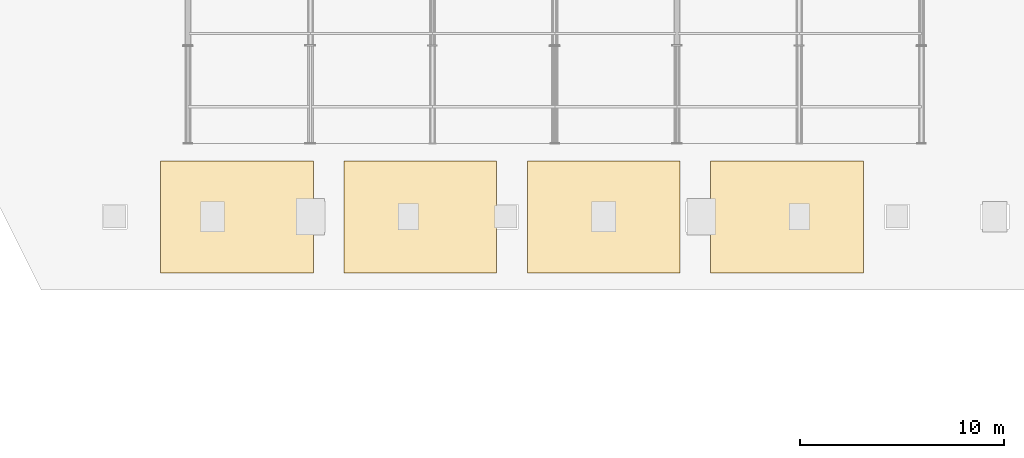
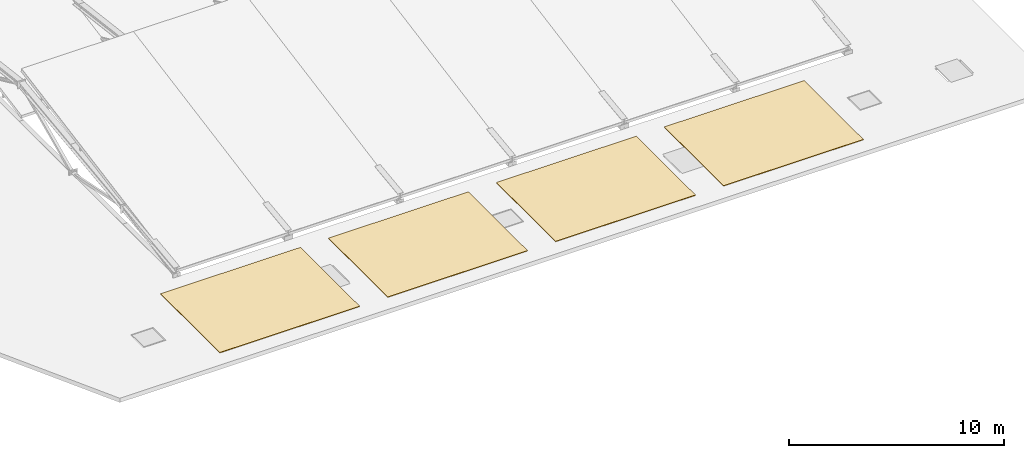
# One storey, part 32 of 32: 4 coverings.
"""IFC4 building model written with IfcOpenShell, lengths in metres."""

import ifcopenshell
import ifcopenshell.guid

model = None  # the IFC model being written
_history = None  # IfcOwnerHistory: only IFC2X3 demands one
_inside = {}  # id of a spatial element -> (the spatial element, [elements in it])
_under = {}  # id of a project, library or spatial element -> (it, [spatial elements below it])
_declared = {}  # id of a project -> (the project, [libraries it declares])
_typed = {}  # id of a type object -> (the type object, [elements of that type])
_made_of = {}  # id of a material, layer set ... -> (it, [elements and type objects made of it])


def new_model(schema):
    """Start an empty IFC model of exactly this schema.

    Asked for "IFC4X3", IfcOpenShell would pick the latest addendum, in which some entities
    have other attributes; the version numbers below select the first issue.
    IFC2X3 requires an IfcOwnerHistory on every rooted entity: one is made here for all.
    """
    global model, _history
    if schema == "IFC4X3":
        model = ifcopenshell.file(schema_version=(4, 3, 0, 0))
    else:
        model = ifcopenshell.file(schema=schema)
    _inside.clear()
    _under.clear()
    _declared.clear()
    _typed.clear()
    _made_of.clear()
    _history = None
    if model.schema == "IFC2X3":
        org = make("IfcOrganization", Name="unknown")
        user = make(
            "IfcPersonAndOrganization",
            ThePerson=make("IfcPerson", FamilyName="unknown"),
            TheOrganization=org,
        )
        app = make(
            "IfcApplication",
            ApplicationDeveloper=org,
            Version="unknown",
            ApplicationFullName="unknown",
            ApplicationIdentifier="unknown",
        )
        _history = make(
            "IfcOwnerHistory",
            OwningUser=user,
            OwningApplication=app,
            ChangeAction="ADDED",
            CreationDate=0,
        )
    return model


def make(cls, **values):
    """One entity of the class cls with the attributes given. An attribute that is None is left unset."""
    return model.create_entity(
        cls, **{name: value for name, value in values.items() if value is not None}
    )


def rooted(cls, **values):
    """An entity with a GlobalId (a new one), such as an element, a storey or a relation."""
    return make(cls, GlobalId=ifcopenshell.guid.new(), OwnerHistory=_history, **values)


def si_unit(unit_type, name, prefix=None):
    """IfcSIUnit, for example si_unit("LENGTHUNIT", "METRE", prefix="MILLI")."""
    return make("IfcSIUnit", UnitType=unit_type, Prefix=prefix, Name=name)


def assignment(units):
    """IfcUnitAssignment: the units of a project."""
    return None if units is None else make("IfcUnitAssignment", Units=units)


def point(xyz):
    """IfcCartesianPoint."""
    return None if xyz is None else make("IfcCartesianPoint", Coordinates=xyz)


def direction(xyz):
    """IfcDirection."""
    return None if xyz is None else make("IfcDirection", DirectionRatios=xyz)


def frame(location, z_axis=None, x_axis=None):
    """IfcAxis2Placement3D, a coordinate frame: its origin and axes. An axis left out is left unset."""
    return make(
        "IfcAxis2Placement3D",
        Location=point(location),
        Axis=direction(z_axis),
        RefDirection=direction(x_axis),
    )


def frame_2d(location, x_axis=None):
    """IfcAxis2Placement2D, a coordinate frame in the plane: its origin and x axis."""
    return make(
        "IfcAxis2Placement2D", Location=point(location), RefDirection=direction(x_axis)
    )


def origin():
    """The frame at (0, 0, 0) with its axes left unset."""
    return frame((0.0, 0.0, 0.0))


def origin_2d():
    """The frame at (0, 0) in the plane with its x axis left unset."""
    return frame_2d((0.0, 0.0))


def place(relative_to, where):
    """IfcLocalPlacement: puts the frame where relative to a parent placement (None: the world)."""
    return make(
        "IfcLocalPlacement", PlacementRelTo=relative_to, RelativePlacement=where
    )


def context(
    kind, dimensions, precision=None, world=None, true_north=None, identifier=None
):
    """IfcGeometricRepresentationContext, for example the 3D "Model" context."""
    return make(
        "IfcGeometricRepresentationContext",
        ContextIdentifier=identifier,
        ContextType=kind,
        CoordinateSpaceDimension=dimensions,
        Precision=precision,
        WorldCoordinateSystem=world,
        TrueNorth=true_north,
    )


def subcontext(parent, identifier, kind, view, scale=None):
    """IfcGeometricRepresentationSubContext, for example "Body" below "Model"."""
    return make(
        "IfcGeometricRepresentationSubContext",
        ContextIdentifier=identifier,
        ContextType=kind,
        ParentContext=parent,
        TargetScale=scale,
        TargetView=view,
    )


def project(units=None, contexts=None):
    """IfcProject with its units and contexts."""
    return rooted(
        "IfcProject",
        Name="project",
        RepresentationContexts=contexts,
        UnitsInContext=assignment(units),
    )


def spatial(cls, under=None, at=None, **own):
    """A site, building, storey or space (cls), placed at a placement, below another one or the project."""
    s = rooted(cls, ObjectPlacement=at, **own)
    if under is not None:
        _under.setdefault(under.id(), (under, []))[1].append(s)
    return s


def profile(cls, at=None, kind="AREA", **sizes):
    """A parametric profile (cls). Its sizes go by their IFC names, for example OverallWidth=200.0."""
    return make(cls, ProfileType=kind, Position=at, **sizes)


def rectangle(**sizes):
    """IfcRectangleProfileDef."""
    return profile("IfcRectangleProfileDef", **sizes)


def extrude(swept, where, along, depth):
    """IfcExtrudedAreaSolid: the profile swept, set in the frame where, extruded along a direction by depth."""
    return make(
        "IfcExtrudedAreaSolid",
        SweptArea=swept,
        Position=where,
        ExtrudedDirection=direction(along),
        Depth=depth,
    )


def shape(context_of_items, identifier, shape_type, items):
    """IfcShapeRepresentation: the items that make up one representation, for example the "Body"."""
    return make(
        "IfcShapeRepresentation",
        ContextOfItems=context_of_items,
        RepresentationIdentifier=identifier,
        RepresentationType=shape_type,
        Items=items,
    )


def material(Name=None, Category=None):
    """IfcMaterial."""
    return make("IfcMaterial", Name=Name, Category=Category)


def layer(
    of_material, thickness, ventilated=None, Name=None, Category=None, Priority=None
):
    """IfcMaterialLayer: one layer of a wall or slab, of a material (None: an air gap)."""
    return make(
        "IfcMaterialLayer",
        Material=of_material,
        LayerThickness=thickness,
        IsVentilated=ventilated,
        Name=Name,
        Category=Category,
        Priority=Priority,
    )


def layer_set(layers, Name=None):
    """IfcMaterialLayerSet."""
    return make("IfcMaterialLayerSet", MaterialLayers=layers, LayerSetName=Name)


def made_of(thing, what):
    """Note that an element or type object is made of a material, layer set ...; save() writes the relation."""
    if what is not None:
        _made_of.setdefault(what.id(), (what, []))[1].append(thing)
    return thing


def type_object(cls, material=None, **own):
    """A type object (cls), such as IfcWallType, which elements share."""
    return made_of(rooted(cls, **own), material)


def element(
    cls,
    number,
    at=None,
    inside=None,
    cuts=None,
    type_object=None,
    material=None,
    context=None,
    identifier="Body",
    shape_type=None,
    held_by="IfcProductDefinitionShape",
    body=None,
    shapes=None,
    **own,
):
    """One element of the class cls, such as IfcWall. Its Tag is "e" and its number.

    at: its placement. inside: the storey or other place that contains it. cuts: it is an
    opening in that element (IfcRelVoidsElement). A single representation is given by context,
    identifier, shape_type and body (its items); several are given by shapes. held_by: the class
    of the entity that holds the representations. save() writes the other relations.
    """
    e = rooted(cls, Tag="e%d" % number, ObjectPlacement=at, **own)
    if body is not None:
        shapes = [shape(context, identifier, shape_type, body)]
    if shapes is not None:
        e.Representation = make(held_by, Representations=shapes)
    if inside is not None:
        _inside.setdefault(inside.id(), (inside, []))[1].append(e)
    if cuts is not None:
        rooted(
            "IfcRelVoidsElement", RelatingBuildingElement=cuts, RelatedOpeningElement=e
        )
    if type_object is not None:
        _typed.setdefault(type_object.id(), (type_object, []))[1].append(e)
    return made_of(e, material)


def aggregate(whole, parts):
    """IfcRelAggregates: a whole, such as a stair, and the parts it consists of."""
    return rooted("IfcRelAggregates", RelatingObject=whole, RelatedObjects=parts)


def save(model, path):
    """Write the relations noted so far, then the file.

    IfcRelAggregates (storeys below a building ...), IfcRelContainedInSpatialStructure (elements
    in a storey), IfcRelDefinesByType, IfcRelAssociatesMaterial and IfcRelDeclares: one each for
    every whole, place, type object, material and project.
    """
    for whole, parts in _under.values():
        aggregate(whole, parts)
    for where, things in _inside.values():
        rooted(
            "IfcRelContainedInSpatialStructure",
            RelatedElements=things,
            RelatingStructure=where,
        )
    for kind, things in _typed.values():
        rooted("IfcRelDefinesByType", RelatedObjects=things, RelatingType=kind)
    for what, things in _made_of.values():
        rooted("IfcRelAssociatesMaterial", RelatedObjects=things, RelatingMaterial=what)
    for by, libraries in _declared.values():
        rooted("IfcRelDeclares", RelatingContext=by, RelatedDefinitions=libraries)
    model.write(path)


model = new_model("IFC4")

# Units and contexts
model_context = context("Model", 3, precision=1e-05, world=origin(), true_north=direction((0.0, 1.0)))
body_context = subcontext(model_context, "Body", "Model", "MODEL_VIEW")
ifc_project = project(units=[si_unit("LENGTHUNIT", "METRE"), si_unit("AREAUNIT", "SQUARE_METRE"), si_unit("VOLUMEUNIT", "CUBIC_METRE"), si_unit("PLANEANGLEUNIT", "RADIAN"), si_unit("MASSUNIT", "GRAM", prefix="KILO")], contexts=[model_context])

# Site, building, storey
site_placement = place(None, origin())
site = spatial("IfcSite", under=ifc_project, at=site_placement, CompositionType="ELEMENT")
building_placement = place(site_placement, origin())
building = spatial("IfcBuilding", under=site, at=building_placement, Name="Brisavento Harbour Community Centre", CompositionType="ELEMENT")
storey_placement = place(building_placement, frame((0.0, 0.0, 12.89990234375)))
storey = spatial("IfcBuildingStorey", under=building, at=storey_placement, Name="L03", CompositionType="ELEMENT", Elevation=12.89990234375)

# Coverings
ifc_material = material(Name="High-albedo EPDM roofing membrane", Category="other")
ifc_layer = layer(ifc_material, 0.030029296875, Name="High-albedo EPDM roofing membrane")
ifc_layer_set = layer_set([ifc_layer], Name="High-albedo EPDM roofing membrane")
covering_type = type_object("IfcCoveringType", Name="COV-ROOF-MEM", PredefinedType="ROOFING", material=ifc_layer_set)
for number, where, z_axis, x_axis, name in (
    (1, (132.0, 82.800048828125, 0.0), (0.0, 0.0, 1.0), (1.0, 0.0, 0.0), "L03 V4 flat bar roofing membrane 01"),
    (2, (141.0, 82.800048828125, 0.0), (0.0, 0.0, 1.0), (1.0, 0.0, 0.0), "L03 V4 flat bar roofing membrane 02"),
    (3, (150.0, 82.800048828125, 0.0), (0.0, 0.0, 1.0), (1.0, 0.0, 0.0), "L03 V4 flat bar roofing membrane 03"),
    (4, (159.0, 82.800048828125, 0.0), (0.0, 0.0, 1.0), (1.0, 0.0, 0.0), "L03 V4 flat bar roofing membrane 04"),
):
    element("IfcCovering", number, at=place(storey_placement, frame(where, z_axis=z_axis, x_axis=x_axis)), inside=storey, type_object=covering_type, Name=name, PredefinedType="ROOFING", context=body_context, shape_type="SweptSolid", body=[
        extrude(rectangle(XDim=7.5, YDim=5.5, at=origin_2d()), origin(), (0.0, 0.0, 1.0), 0.030029296875),
    ])

save(model, "model.ifc")
